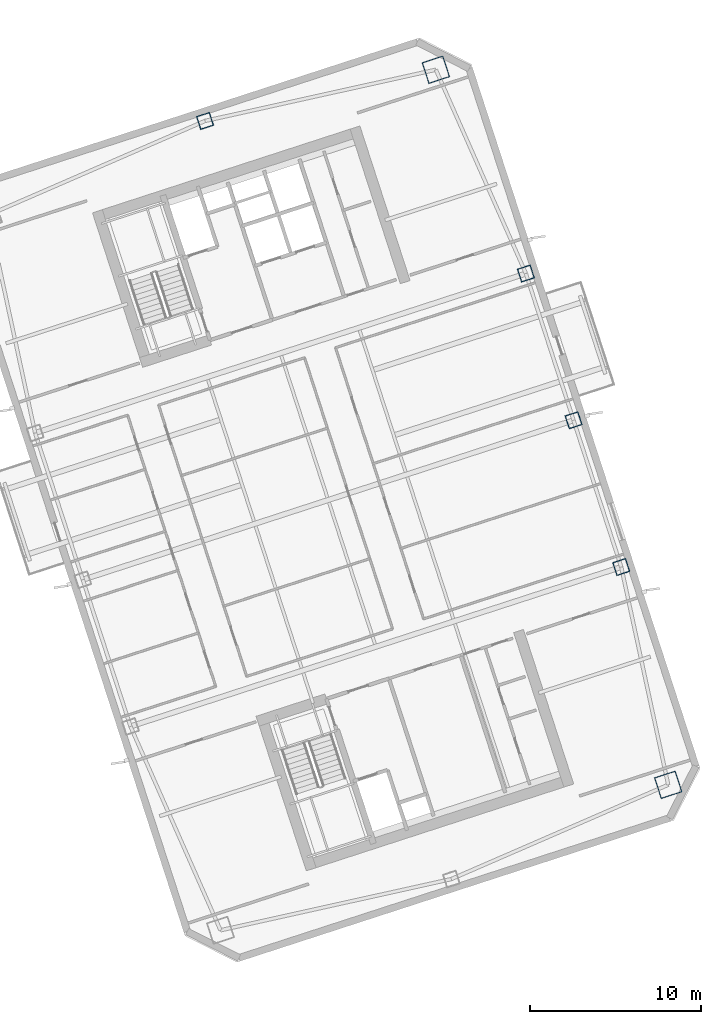
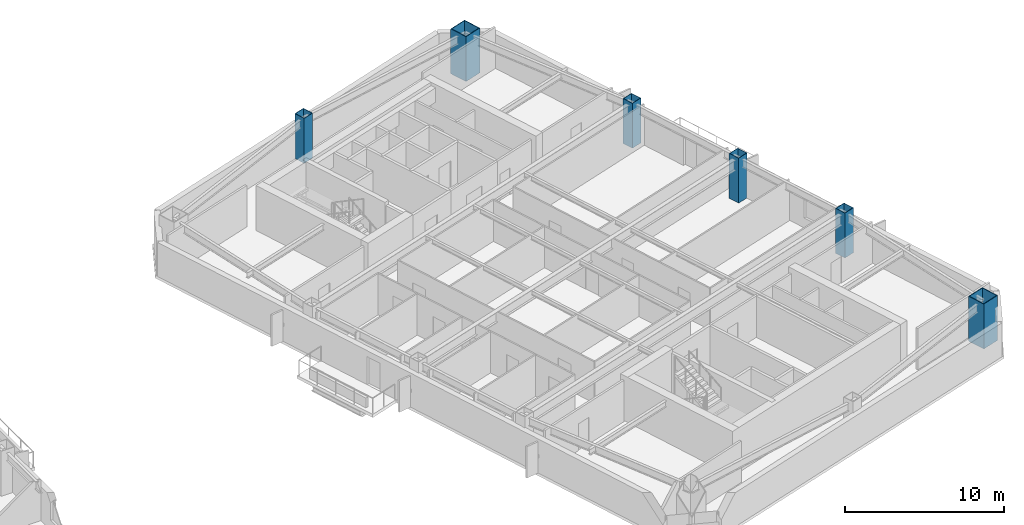
# One storey, part 2 of 17: 6 columns.
"""IFC4 building model written with IfcOpenShell, lengths in metres."""

from ifc_helpers import new_model, si_unit, direction, frame, origin, origin_2d, place, context, subcontext, project, spatial, hollow_rectangle, extrude, material, material_profile, profile_set, type_object, element, save


model = new_model("IFC4")

# Units and contexts
model_context = context("Model", 3, precision=1e-05, world=origin(), true_north=direction((0.0, 1.0)))
body_context = subcontext(model_context, "Body", "Model", "MODEL_VIEW")
ifc_project = project(units=[si_unit("LENGTHUNIT", "METRE"), si_unit("AREAUNIT", "SQUARE_METRE"), si_unit("VOLUMEUNIT", "CUBIC_METRE"), si_unit("PLANEANGLEUNIT", "RADIAN"), si_unit("MASSUNIT", "GRAM", prefix="KILO")], contexts=[model_context])

# Site, building, storey
site_placement = place(None, origin())
site = spatial("IfcSite", under=ifc_project, at=site_placement, CompositionType="ELEMENT")
building_placement = place(site_placement, origin())
building = spatial("IfcBuilding", under=site, at=building_placement, Name="Qiaolan Cultural Towers", CompositionType="ELEMENT")
storey_placement = place(building_placement, frame((0.0, 0.0, 142.60009765625)))
storey = spatial("IfcBuildingStorey", under=building, at=storey_placement, Name="L37", CompositionType="ELEMENT", Elevation=142.60009765625)

# Columns
ifc_material_1 = material(Name="Steel Q390GJB", Category="steel")
ifc_material_profile_1 = material_profile(ifc_material_1, hollow_rectangle(XDim=1.300048828125, YDim=1.300048828125, WallThickness=0.044921875, at=origin_2d()), Name="BOX1300x1300x45")
ifc_profile_set_1 = profile_set([ifc_material_profile_1], Name="Steel Q390GJB")
column_type_1 = type_object("IfcColumnType", Name="COL-BOX1300x1300x45", PredefinedType="COLUMN", material=ifc_profile_set_1)
for number, where, z_axis, x_axis, name in (
    (1, (109.834716796875, 17.38623046875, 0.0), (0.0, 0.0, 1.0), (0.951056516295, 0.309016994375, 0.0), "L37 T2 Perimeter Column MC-SE"),
    (2, (96.28125, 59.099365234375, 0.0), (0.0, 0.0, 1.0), (0.951056516295, 0.309016994375, 0.0), "L37 T2 Perimeter Column MC-NE"),
):
    element("IfcColumn", number, at=place(storey_placement, frame(where, z_axis=z_axis, x_axis=x_axis)), inside=storey, type_object=column_type_1, Name=name, PredefinedType="COLUMN", context=body_context, shape_type="SweptSolid", body=[
        extrude(hollow_rectangle(XDim=1.300048828125, YDim=1.300048828125, WallThickness=0.044921875, at=origin_2d()), origin(), (0.0, 0.0, 1.0), 3.450927734375),
    ])
ifc_material_2 = material(Name="Steel Q355B", Category="steel")
ifc_material_profile_2 = material_profile(ifc_material_2, hollow_rectangle(XDim=0.800048828125, YDim=0.800048828125, WallThickness=0.028076171875, at=origin_2d()), Name="BOX800x800x28")
ifc_profile_set_2 = profile_set([ifc_material_profile_2], Name="Steel Q355B")
column_type_2 = type_object("IfcColumnType", Name="COL-BOX800x800x28", PredefinedType="COLUMN", material=ifc_profile_set_2)
for number, where, z_axis, x_axis, name in (
    (3, (107.094482421875, 30.09130859375, 0.0), (0.0, 0.0, 1.0), (0.951056516295, 0.309016994375, 0.0), "L37 T2 Perimeter Column PC-E1"),
    (4, (104.3134765625, 38.650634765625, 0.0), (0.0, 0.0, 1.0), (0.951056516295, 0.309016994375, 0.0), "L37 T2 Perimeter Column PC-E2"),
    (5, (101.5322265625, 47.210205078125, 0.0), (0.0, 0.0, 1.0), (0.951056516295, 0.309016994375, 0.0), "L37 T2 Perimeter Column PC-E3"),
    (6, (82.8154296875, 56.112060546875, 0.0), (0.0, 0.0, 1.0), (0.951056516295, 0.309016994375, 0.0), "L37 T2 Perimeter Column PC-N0"),
):
    element("IfcColumn", number, at=place(storey_placement, frame(where, z_axis=z_axis, x_axis=x_axis)), inside=storey, type_object=column_type_2, Name=name, PredefinedType="COLUMN", context=body_context, shape_type="SweptSolid", body=[
        extrude(hollow_rectangle(XDim=0.800048828125, YDim=0.800048828125, WallThickness=0.028076171875, at=origin_2d()), origin(), (0.0, 0.0, 1.0), 3.450927734375),
    ])

save(model, "model.ifc")
